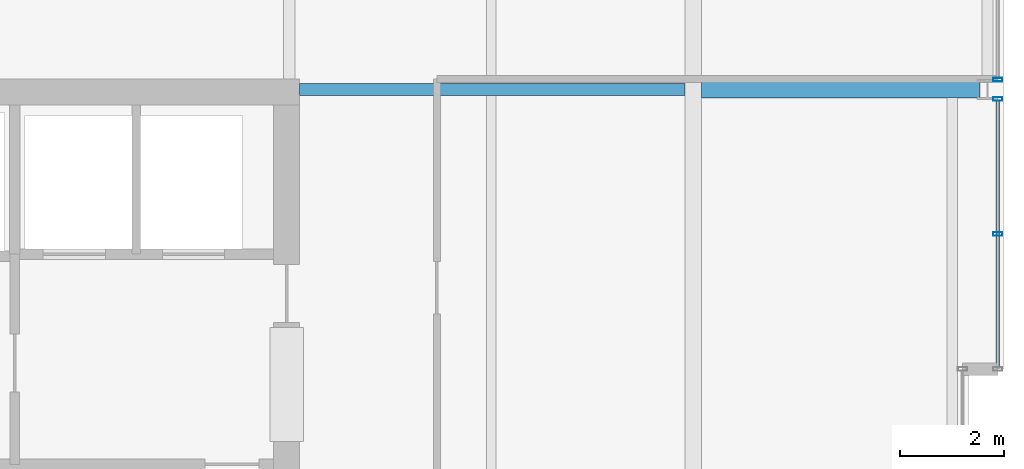
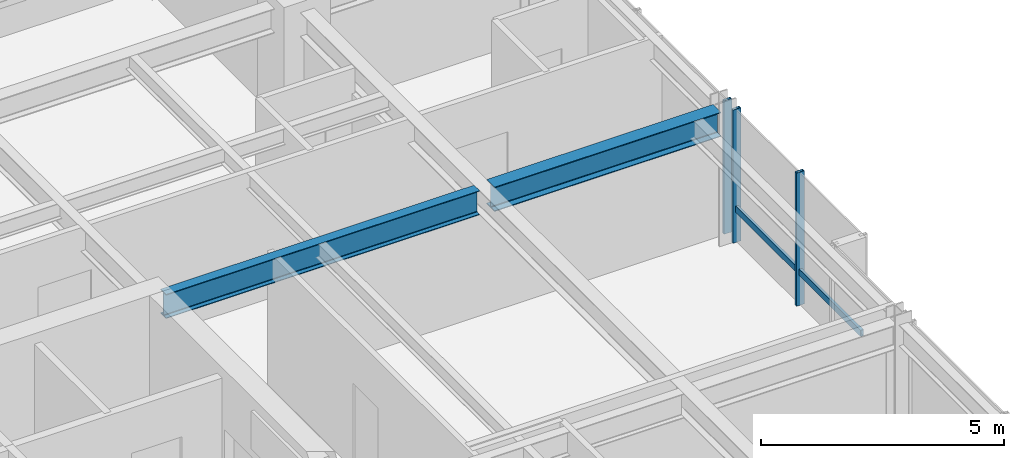
# One storey, part 22 of 32: 4 members, 2 beams, 2 elements without a shape of their own.
"""IFC4 building model written with IfcOpenShell, lengths in metres."""

from ifc_helpers import new_model, si_unit, direction, frame, origin, origin_2d, place, context, subcontext, project, spatial, hollow_rectangle, i_section, extrude, material, layer, layer_set, material_profile, profile_set, type_object, element, aggregate, save


model = new_model("IFC4")

# Units and contexts
model_context = context("Model", 3, precision=1e-05, world=origin(), true_north=direction((0.0, 1.0)))
body_context = subcontext(model_context, "Body", "Model", "MODEL_VIEW")
ifc_project = project(units=[si_unit("LENGTHUNIT", "METRE"), si_unit("AREAUNIT", "SQUARE_METRE"), si_unit("VOLUMEUNIT", "CUBIC_METRE"), si_unit("PLANEANGLEUNIT", "RADIAN"), si_unit("MASSUNIT", "GRAM", prefix="KILO")], contexts=[model_context])

# Site, building, storey
site_placement = place(None, origin())
site = spatial("IfcSite", under=ifc_project, at=site_placement, CompositionType="ELEMENT")
building_placement = place(site_placement, origin())
building = spatial("IfcBuilding", under=site, at=building_placement, Name="Drelvath Grand Hotel", CompositionType="ELEMENT")
storey_placement = place(building_placement, frame((0.0, 0.0, 223.10009765625)))
storey = spatial("IfcBuildingStorey", under=building, at=storey_placement, Name="L58", CompositionType="ELEMENT", Elevation=223.10009765625)

# Curtain wall, members
ifc_material_1 = material(Name="Platinum-Mist Anodised Aluminium Frame", Category="aluminium")
ifc_layer = layer(ifc_material_1, 0.199951171875)
ifc_layer_set = layer_set([ifc_layer], Name="Platinum-Mist Anodised Aluminium Frame")
curtain_wall_type = type_object("IfcCurtainWallType", Name="Stick Curtain Wall CW-05 Platinum Mist High-Rise", PredefinedType="NOTDEFINED", material=ifc_layer_set)
curtain_wall_1_placement = place(storey_placement, origin())
curtain_wall_1 = element("IfcCurtainWall", 1, at=curtain_wall_1_placement, inside=storey, type_object=curtain_wall_type, Name="L58 CW-05 Curtain Wall CW05-L58-EN1", PredefinedType="NOTDEFINED")
ifc_material_profile_1 = material_profile(ifc_material_1, hollow_rectangle(XDim=0.06494140625, YDim=0.159912109375, WallThickness=0.00390625, at=origin_2d()), Name="HSS160X65X4")
ifc_profile_set_1 = profile_set([ifc_material_profile_1], Name="Platinum-Mist Anodised Aluminium Frame")
member_type_1 = type_object("IfcMemberType", Name="Curtain Wall Horizontal Transom CW-05 HSS160X65X4", PredefinedType="USERDEFINED", material=ifc_profile_set_1)
member_1_placement = place(storey_placement, frame((22.080078125, 35.1748046875, 0.8349609375), z_axis=(0.0, -1.0, 0.0), x_axis=(1.0, 0.0, 0.0)))
member_1 = element("IfcMember", 2, at=member_1_placement, type_object=member_type_1, Name="CW05-L58-EN1 Sill Transom", ObjectType="TRANSOM", PredefinedType="USERDEFINED", context=body_context, shape_type="SweptSolid", body=[
    extrude(hollow_rectangle(XDim=0.06494140625, YDim=0.159912109375, WallThickness=0.00390625, at=origin_2d()), origin(), (0.0, 0.0, 1.0), 5.134765625),
])
ifc_material_profile_2 = material_profile(ifc_material_1, hollow_rectangle(XDim=0.074951171875, YDim=0.179931640625, WallThickness=0.0048828125, at=origin_2d()), Name="HSS180X75X5")
ifc_profile_set_2 = profile_set([ifc_material_profile_2], Name="Platinum-Mist Anodised Aluminium Frame")
member_type_2 = type_object("IfcMemberType", Name="Curtain Wall Vertical Mullion CW-05 HSS180X75X5", PredefinedType="MULLION", material=ifc_profile_set_2)
member_2_placement = place(storey_placement, frame((22.080078125, 35.214599609375, 0.0), z_axis=(0.0, 0.0, 1.0), x_axis=(0.0, 1.0, 0.0)))
member_2 = element("IfcMember", 3, at=member_2_placement, type_object=member_type_2, Name="CW05-L58-EN1 Mullion 1", PredefinedType="MULLION", context=body_context, shape_type="SweptSolid", body=[
    extrude(hollow_rectangle(XDim=0.074951171875, YDim=0.179931640625, WallThickness=0.0048828125, at=origin_2d()), origin(), (0.0, 0.0, 1.0), 3.33984375),
])
member_3_placement = place(storey_placement, frame((22.080078125, 32.607421875, 0.0), z_axis=(0.0, 0.0, 1.0), x_axis=(0.0, 1.0, 0.0)))
member_3 = element("IfcMember", 4, at=member_3_placement, type_object=member_type_2, Name="CW05-L58-EN1 Mullion 2", PredefinedType="MULLION", context=body_context, shape_type="SweptSolid", body=[
    extrude(hollow_rectangle(XDim=0.074951171875, YDim=0.179931640625, WallThickness=0.0048828125, at=origin_2d()), origin(), (0.0, 0.0, 1.0), 3.33984375),
])
aggregate(curtain_wall_1, [member_2, member_3, member_1])

# Curtain wall, member
curtain_wall_2_placement = place(storey_placement, origin())
curtain_wall_2 = element("IfcCurtainWall", 5, at=curtain_wall_2_placement, inside=storey, type_object=curtain_wall_type, Name="L58 CW-05 Curtain Wall CW05-L58-EN2", PredefinedType="NOTDEFINED")
member_4_placement = place(storey_placement, frame((22.080078125, 35.585205078125, 0.0), z_axis=(0.0, 0.0, 1.0), x_axis=(0.0, 1.0, 0.0)))
member_4 = element("IfcMember", 6, at=member_4_placement, type_object=member_type_2, Name="CW05-L58-EN2 Mullion 3", PredefinedType="MULLION", context=body_context, shape_type="SweptSolid", body=[
    extrude(hollow_rectangle(XDim=0.074951171875, YDim=0.179931640625, WallThickness=0.0048828125, at=origin_2d()), origin(), (0.0, 0.0, 1.0), 3.33984375),
])
aggregate(curtain_wall_2, [member_4])

# Beams
ifc_material_2 = material(Name="Steel ASTM A992 Gr 50", Category="steel")
ifc_material_profile_3 = material_profile(ifc_material_2, i_section(OverallWidth=0.323974609375, OverallDepth=0.611083984375, WebThickness=0.0126953125, FlangeThickness=0.01904296875, FilletRadius=0.02197265625, at=origin_2d()), Name="W24X104")
ifc_profile_set_3 = profile_set([ifc_material_profile_3], Name="Steel ASTM A992 Gr 50")
beam_type_1 = type_object("IfcBeamType", Name="Primary Floor Girder W24X104", PredefinedType="BEAM", material=ifc_profile_set_3)
beam_1_placement = place(storey_placement, frame((16.362060546875, 35.39990234375, 3.034423828125), z_axis=(1.0, 0.0, 0.0), x_axis=(0.0, 1.0, 0.0)))
element("IfcBeam", 7, at=beam_1_placement, inside=storey, type_object=beam_type_1, Name="L58 East Wing Girder F", PredefinedType="BEAM", context=body_context, shape_type="SweptSolid", body=[
    extrude(i_section(OverallWidth=0.323974609375, OverallDepth=0.611083984375, WebThickness=0.0126953125, FlangeThickness=0.01904296875, FilletRadius=0.02197265625, at=origin_2d()), origin(), (0.0, 0.0, 1.0), 5.3779296875),
])
ifc_material_profile_4 = material_profile(ifc_material_2, i_section(OverallWidth=0.228271484375, OverallDepth=0.607666015625, WebThickness=0.01123046875, FlangeThickness=0.017333984375, FilletRadius=0.02001953125, at=origin_2d()), Name="W24X76")
ifc_profile_set_4 = profile_set([ifc_material_profile_4], Name="Steel ASTM A992 Gr 50")
beam_type_2 = type_object("IfcBeamType", Name="Primary Floor Girder W24X76", PredefinedType="BEAM", material=ifc_profile_set_4)
beam_2_placement = place(storey_placement, frame((8.60009765625, 35.39990234375, 3.0361328125), z_axis=(1.0, 0.0, 0.0), x_axis=(0.0, 1.0, 0.0)))
element("IfcBeam", 8, at=beam_2_placement, inside=storey, type_object=beam_type_2, Name="L58 East Core Tie F", PredefinedType="BEAM", context=body_context, shape_type="SweptSolid", body=[
    extrude(i_section(OverallWidth=0.228271484375, OverallDepth=0.607666015625, WebThickness=0.01123046875, FlangeThickness=0.017333984375, FilletRadius=0.02001953125, at=origin_2d()), origin(), (0.0, 0.0, 1.0), 7.43798828125),
])

save(model, "model.ifc")
